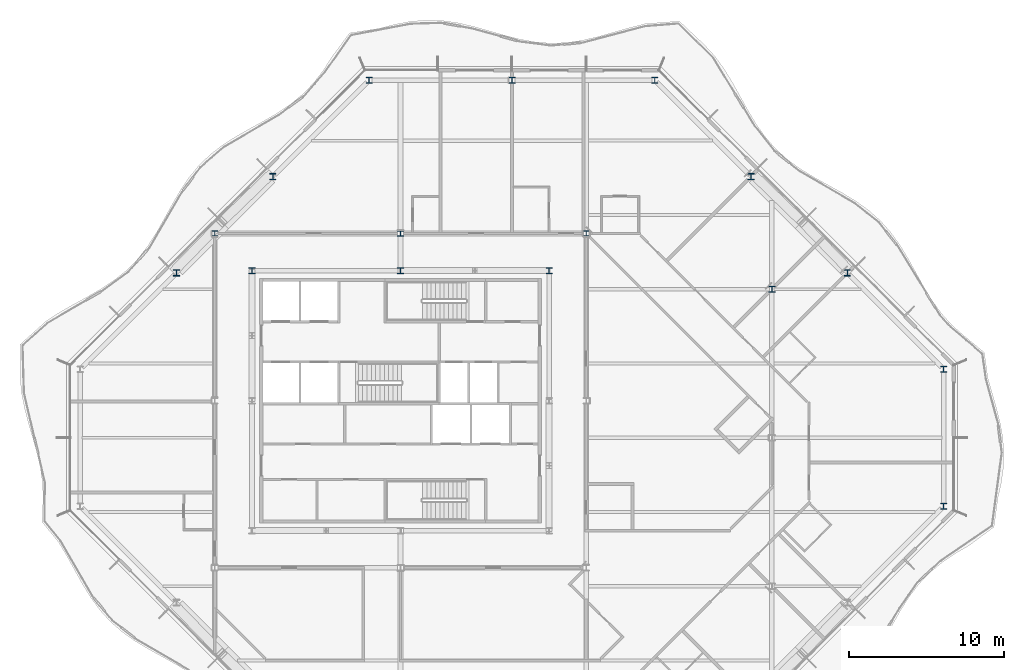
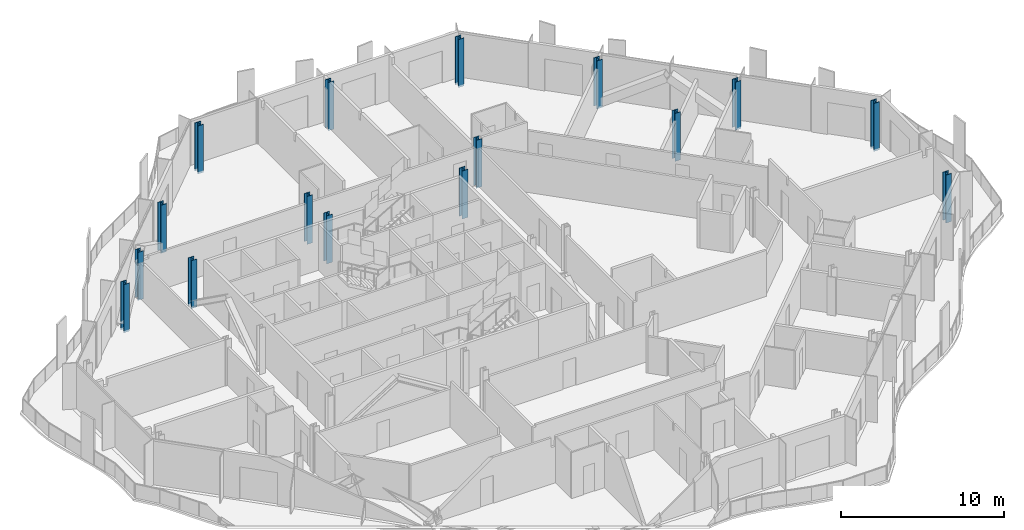
# One storey, part 2 of 17: 16 columns.
"""IFC4 building model written with IfcOpenShell, lengths in metres."""

import ifcopenshell
import ifcopenshell.guid

model = None  # the IFC model being written
_history = None  # IfcOwnerHistory: only IFC2X3 demands one
_inside = {}  # id of a spatial element -> (the spatial element, [elements in it])
_under = {}  # id of a project, library or spatial element -> (it, [spatial elements below it])
_declared = {}  # id of a project -> (the project, [libraries it declares])
_typed = {}  # id of a type object -> (the type object, [elements of that type])
_made_of = {}  # id of a material, layer set ... -> (it, [elements and type objects made of it])


def new_model(schema):
    """Start an empty IFC model of exactly this schema.

    Asked for "IFC4X3", IfcOpenShell would pick the latest addendum, in which some entities
    have other attributes; the version numbers below select the first issue.
    IFC2X3 requires an IfcOwnerHistory on every rooted entity: one is made here for all.
    """
    global model, _history
    if schema == "IFC4X3":
        model = ifcopenshell.file(schema_version=(4, 3, 0, 0))
    else:
        model = ifcopenshell.file(schema=schema)
    _inside.clear()
    _under.clear()
    _declared.clear()
    _typed.clear()
    _made_of.clear()
    _history = None
    if model.schema == "IFC2X3":
        org = make("IfcOrganization", Name="unknown")
        user = make(
            "IfcPersonAndOrganization",
            ThePerson=make("IfcPerson", FamilyName="unknown"),
            TheOrganization=org,
        )
        app = make(
            "IfcApplication",
            ApplicationDeveloper=org,
            Version="unknown",
            ApplicationFullName="unknown",
            ApplicationIdentifier="unknown",
        )
        _history = make(
            "IfcOwnerHistory",
            OwningUser=user,
            OwningApplication=app,
            ChangeAction="ADDED",
            CreationDate=0,
        )
    return model


def make(cls, **values):
    """One entity of the class cls with the attributes given. An attribute that is None is left unset."""
    return model.create_entity(
        cls, **{name: value for name, value in values.items() if value is not None}
    )


def rooted(cls, **values):
    """An entity with a GlobalId (a new one), such as an element, a storey or a relation."""
    return make(cls, GlobalId=ifcopenshell.guid.new(), OwnerHistory=_history, **values)


def si_unit(unit_type, name, prefix=None):
    """IfcSIUnit, for example si_unit("LENGTHUNIT", "METRE", prefix="MILLI")."""
    return make("IfcSIUnit", UnitType=unit_type, Prefix=prefix, Name=name)


def assignment(units):
    """IfcUnitAssignment: the units of a project."""
    return None if units is None else make("IfcUnitAssignment", Units=units)


def point(xyz):
    """IfcCartesianPoint."""
    return None if xyz is None else make("IfcCartesianPoint", Coordinates=xyz)


def direction(xyz):
    """IfcDirection."""
    return None if xyz is None else make("IfcDirection", DirectionRatios=xyz)


def frame(location, z_axis=None, x_axis=None):
    """IfcAxis2Placement3D, a coordinate frame: its origin and axes. An axis left out is left unset."""
    return make(
        "IfcAxis2Placement3D",
        Location=point(location),
        Axis=direction(z_axis),
        RefDirection=direction(x_axis),
    )


def frame_2d(location, x_axis=None):
    """IfcAxis2Placement2D, a coordinate frame in the plane: its origin and x axis."""
    return make(
        "IfcAxis2Placement2D", Location=point(location), RefDirection=direction(x_axis)
    )


def origin():
    """The frame at (0, 0, 0) with its axes left unset."""
    return frame((0.0, 0.0, 0.0))


def origin_2d():
    """The frame at (0, 0) in the plane with its x axis left unset."""
    return frame_2d((0.0, 0.0))


def place(relative_to, where):
    """IfcLocalPlacement: puts the frame where relative to a parent placement (None: the world)."""
    return make(
        "IfcLocalPlacement", PlacementRelTo=relative_to, RelativePlacement=where
    )


def context(
    kind, dimensions, precision=None, world=None, true_north=None, identifier=None
):
    """IfcGeometricRepresentationContext, for example the 3D "Model" context."""
    return make(
        "IfcGeometricRepresentationContext",
        ContextIdentifier=identifier,
        ContextType=kind,
        CoordinateSpaceDimension=dimensions,
        Precision=precision,
        WorldCoordinateSystem=world,
        TrueNorth=true_north,
    )


def subcontext(parent, identifier, kind, view, scale=None):
    """IfcGeometricRepresentationSubContext, for example "Body" below "Model"."""
    return make(
        "IfcGeometricRepresentationSubContext",
        ContextIdentifier=identifier,
        ContextType=kind,
        ParentContext=parent,
        TargetScale=scale,
        TargetView=view,
    )


def project(units=None, contexts=None):
    """IfcProject with its units and contexts."""
    return rooted(
        "IfcProject",
        Name="project",
        RepresentationContexts=contexts,
        UnitsInContext=assignment(units),
    )


def spatial(cls, under=None, at=None, **own):
    """A site, building, storey or space (cls), placed at a placement, below another one or the project."""
    s = rooted(cls, ObjectPlacement=at, **own)
    if under is not None:
        _under.setdefault(under.id(), (under, []))[1].append(s)
    return s


def profile(cls, at=None, kind="AREA", **sizes):
    """A parametric profile (cls). Its sizes go by their IFC names, for example OverallWidth=200.0."""
    return make(cls, ProfileType=kind, Position=at, **sizes)


def i_section(**sizes):
    """IfcIShapeProfileDef."""
    return profile("IfcIShapeProfileDef", **sizes)


def extrude(swept, where, along, depth):
    """IfcExtrudedAreaSolid: the profile swept, set in the frame where, extruded along a direction by depth."""
    return make(
        "IfcExtrudedAreaSolid",
        SweptArea=swept,
        Position=where,
        ExtrudedDirection=direction(along),
        Depth=depth,
    )


def shape(context_of_items, identifier, shape_type, items):
    """IfcShapeRepresentation: the items that make up one representation, for example the "Body"."""
    return make(
        "IfcShapeRepresentation",
        ContextOfItems=context_of_items,
        RepresentationIdentifier=identifier,
        RepresentationType=shape_type,
        Items=items,
    )


def material(Name=None, Category=None):
    """IfcMaterial."""
    return make("IfcMaterial", Name=Name, Category=Category)


def material_profile(
    of_material, cross_section, Name=None, Category=None, Priority=None
):
    """IfcMaterialProfile: a cross section and its material."""
    return make(
        "IfcMaterialProfile",
        Name=Name,
        Material=of_material,
        Profile=cross_section,
        Priority=Priority,
        Category=Category,
    )


def profile_set(profiles, Name=None, composite=None):
    """IfcMaterialProfileSet."""
    return make(
        "IfcMaterialProfileSet",
        Name=Name,
        MaterialProfiles=profiles,
        CompositeProfile=composite,
    )


def made_of(thing, what):
    """Note that an element or type object is made of a material, layer set ...; save() writes the relation."""
    if what is not None:
        _made_of.setdefault(what.id(), (what, []))[1].append(thing)
    return thing


def type_object(cls, material=None, **own):
    """A type object (cls), such as IfcWallType, which elements share."""
    return made_of(rooted(cls, **own), material)


def element(
    cls,
    number,
    at=None,
    inside=None,
    cuts=None,
    type_object=None,
    material=None,
    context=None,
    identifier="Body",
    shape_type=None,
    held_by="IfcProductDefinitionShape",
    body=None,
    shapes=None,
    **own,
):
    """One element of the class cls, such as IfcWall. Its Tag is "e" and its number.

    at: its placement. inside: the storey or other place that contains it. cuts: it is an
    opening in that element (IfcRelVoidsElement). A single representation is given by context,
    identifier, shape_type and body (its items); several are given by shapes. held_by: the class
    of the entity that holds the representations. save() writes the other relations.
    """
    e = rooted(cls, Tag="e%d" % number, ObjectPlacement=at, **own)
    if body is not None:
        shapes = [shape(context, identifier, shape_type, body)]
    if shapes is not None:
        e.Representation = make(held_by, Representations=shapes)
    if inside is not None:
        _inside.setdefault(inside.id(), (inside, []))[1].append(e)
    if cuts is not None:
        rooted(
            "IfcRelVoidsElement", RelatingBuildingElement=cuts, RelatedOpeningElement=e
        )
    if type_object is not None:
        _typed.setdefault(type_object.id(), (type_object, []))[1].append(e)
    return made_of(e, material)


def aggregate(whole, parts):
    """IfcRelAggregates: a whole, such as a stair, and the parts it consists of."""
    return rooted("IfcRelAggregates", RelatingObject=whole, RelatedObjects=parts)


def save(model, path):
    """Write the relations noted so far, then the file.

    IfcRelAggregates (storeys below a building ...), IfcRelContainedInSpatialStructure (elements
    in a storey), IfcRelDefinesByType, IfcRelAssociatesMaterial and IfcRelDeclares: one each for
    every whole, place, type object, material and project.
    """
    for whole, parts in _under.values():
        aggregate(whole, parts)
    for where, things in _inside.values():
        rooted(
            "IfcRelContainedInSpatialStructure",
            RelatedElements=things,
            RelatingStructure=where,
        )
    for kind, things in _typed.values():
        rooted("IfcRelDefinesByType", RelatedObjects=things, RelatingType=kind)
    for what, things in _made_of.values():
        rooted("IfcRelAssociatesMaterial", RelatedObjects=things, RelatingMaterial=what)
    for by, libraries in _declared.values():
        rooted("IfcRelDeclares", RelatingContext=by, RelatedDefinitions=libraries)
    model.write(path)


model = new_model("IFC4")

# Units and contexts
model_context = context("Model", 3, precision=1e-05, world=origin(), true_north=direction((0.0, 1.0)))
body_context = subcontext(model_context, "Body", "Model", "MODEL_VIEW")
ifc_project = project(units=[si_unit("LENGTHUNIT", "METRE"), si_unit("AREAUNIT", "SQUARE_METRE"), si_unit("VOLUMEUNIT", "CUBIC_METRE"), si_unit("PLANEANGLEUNIT", "RADIAN"), si_unit("MASSUNIT", "GRAM", prefix="KILO")], contexts=[model_context])

# Site, building, storey
site_placement = place(None, origin())
site = spatial("IfcSite", under=ifc_project, at=site_placement, CompositionType="ELEMENT")
building_placement = place(site_placement, origin())
building = spatial("IfcBuilding", under=site, at=building_placement, Name="Cairn Pilgrim Tower", CompositionType="ELEMENT")
storey_placement = place(building_placement, frame((0.0, 0.0, 253.800048828125)))
storey = spatial("IfcBuildingStorey", under=building, at=storey_placement, Name="L65", CompositionType="ELEMENT", Elevation=253.800048828125)

# Columns
ifc_material_1 = material(Name="Structural steel S355J2", Category="steel")
ifc_material_profile_1 = material_profile(ifc_material_1, i_section(OverallWidth=0.39404296875, OverallDepth=0.375, WebThickness=0.017333984375, FlangeThickness=0.027587890625, FilletRadius=0.014892578125, at=origin_2d()), Name="HD 400x216")
ifc_profile_set_1 = profile_set([ifc_material_profile_1], Name="Structural steel S355J2")
column_type_1 = type_object("IfcColumnType", Name="HD 400x216", PredefinedType="COLUMN", material=ifc_profile_set_1)
for number, where, z_axis, x_axis, name in (
    (1, (-4.800048828125, 13.199951171875, -0.150146484375), (0.0, 0.0, 1.0), (1.0, 0.0, 0.0), "IC-6"),
    (2, (7.199951171875, 13.199951171875, -0.150146484375), (0.0, 0.0, 1.0), (1.0, 0.0, 0.0), "IC-7"),
    (3, (19.199951171875, 13.199951171875, -0.150146484375), (0.0, 0.0, 1.0), (1.0, 0.0, 0.0), "IC-8"),
):
    element("IfcColumn", number, at=place(storey_placement, frame(where, z_axis=z_axis, x_axis=x_axis)), inside=storey, type_object=column_type_1, Name=name, PredefinedType="COLUMN", context=body_context, shape_type="SweptSolid", body=[
        extrude(i_section(OverallWidth=0.39404296875, OverallDepth=0.375, WebThickness=0.017333984375, FlangeThickness=0.027587890625, FilletRadius=0.014892578125, at=origin_2d()), origin(), (0.0, 0.0, 1.0), 3.60009765625),
    ])
ifc_material_profile_2 = material_profile(ifc_material_1, i_section(OverallWidth=0.39794921875, OverallDepth=0.386962890625, WebThickness=0.02099609375, FlangeThickness=0.033203125, FilletRadius=0.014892578125, at=origin_2d()), Name="HD 400x262")
ifc_profile_set_2 = profile_set([ifc_material_profile_2], Name="Structural steel S355J2")
column_type_2 = type_object("IfcColumnType", Name="HD 400x262", PredefinedType="COLUMN", material=ifc_profile_set_2)
for number, where, z_axis, x_axis, name in (
    (4, (-2.39990234375, 10.800048828125, -0.150146484375), (0.0, 0.0, 1.0), (1.0, 0.0, 0.0), "KC-6"),
    (5, (7.199951171875, 10.800048828125, -0.150146484375), (0.0, 0.0, 1.0), (1.0, 0.0, 0.0), "KC-7"),
    (6, (16.800048828125, 10.800048828125, -0.150146484375), (0.0, 0.0, 1.0), (1.0, 0.0, 0.0), "KC-8"),
):
    element("IfcColumn", number, at=place(storey_placement, frame(where, z_axis=z_axis, x_axis=x_axis)), inside=storey, type_object=column_type_2, Name=name, PredefinedType="COLUMN", context=body_context, shape_type="SweptSolid", body=[
        extrude(i_section(OverallWidth=0.39794921875, OverallDepth=0.386962890625, WebThickness=0.02099609375, FlangeThickness=0.033203125, FilletRadius=0.014892578125, at=origin_2d()), origin(), (0.0, 0.0, 1.0), 3.60009765625),
    ])
ifc_material_profile_3 = material_profile(ifc_material_1, i_section(OverallWidth=0.39892578125, OverallDepth=0.39306640625, WebThickness=0.022705078125, FlangeThickness=0.03662109375, FilletRadius=0.014892578125, at=origin_2d()), Name="HD 400x287")
ifc_profile_set_3 = profile_set([ifc_material_profile_3], Name="Structural steel S355J2")
column_type_3 = type_object("IfcColumnType", Name="HD 400x287", PredefinedType="COLUMN", material=ifc_profile_set_3)
column_placement = place(storey_placement, frame((31.199951171875, 9.60009765625, -0.150146484375), z_axis=(0.0, 0.0, 1.0), x_axis=(1.0, 0.0, 0.0)))
element("IfcColumn", 7, at=column_placement, inside=storey, type_object=column_type_3, Name="WC-WE+2", PredefinedType="COLUMN", context=body_context, shape_type="SweptSolid", body=[
    extrude(i_section(OverallWidth=0.39892578125, OverallDepth=0.39306640625, WebThickness=0.022705078125, FlangeThickness=0.03662109375, FilletRadius=0.014892578125, at=origin_2d()), origin(), (0.0, 0.0, 1.0), 3.60009765625),
])
ifc_material_2 = material(Name="Structural steel S460M", Category="steel")
ifc_material_profile_4 = material_profile(ifc_material_2, i_section(OverallWidth=0.404052734375, OverallDepth=0.406982421875, WebThickness=0.027099609375, FlangeThickness=0.043701171875, FilletRadius=0.014892578125, at=origin_2d()), Name="HD 400x347")
ifc_profile_set_4 = profile_set([ifc_material_profile_4], Name="Structural steel S460M")
column_type_4 = type_object("IfcColumnType", Name="HD 400x347", PredefinedType="COLUMN", material=ifc_profile_set_4)
for number, where, z_axis, x_axis, name in (
    (8, (42.300048828125, -4.42724609375, -0.150146484375), (0.0, 0.0, 1.0), (1.0, 0.0, 0.0), "PC3-E1"),
    (9, (42.300048828125, 4.42724609375, -0.150146484375), (0.0, 0.0, 1.0), (1.0, 0.0, 0.0), "PC3-NE1"),
    (10, (36.07568359375, 10.651611328125, -0.150146484375), (0.0, 0.0, 1.0), (1.0, 0.0, 0.0), "PC3-NE2"),
    (11, (29.8515625, 16.875732421875, -0.150146484375), (0.0, 0.0, 1.0), (1.0, 0.0, 0.0), "PC3-NE3"),
    (12, (23.627197265625, 23.10009765625, -0.150146484375), (0.0, 0.0, 1.0), (1.0, 0.0, 0.0), "PC3-N1"),
    (13, (14.39990234375, 23.10009765625, -0.150146484375), (0.0, 0.0, 1.0), (1.0, 0.0, 0.0), "PC3-N2"),
    (14, (5.1728515625, 23.10009765625, -0.150146484375), (0.0, 0.0, 1.0), (1.0, 0.0, 0.0), "PC3-NW1"),
    (15, (-1.051513671875, 16.875732421875, -0.150146484375), (0.0, 0.0, 1.0), (1.0, 0.0, 0.0), "PC3-NW2"),
    (16, (-7.275634765625, 10.651611328125, -0.150146484375), (0.0, 0.0, 1.0), (1.0, 0.0, 0.0), "PC3-NW3"),
):
    element("IfcColumn", number, at=place(storey_placement, frame(where, z_axis=z_axis, x_axis=x_axis)), inside=storey, type_object=column_type_4, Name=name, PredefinedType="COLUMN", context=body_context, shape_type="SweptSolid", body=[
        extrude(i_section(OverallWidth=0.404052734375, OverallDepth=0.406982421875, WebThickness=0.027099609375, FlangeThickness=0.043701171875, FilletRadius=0.014892578125, at=origin_2d()), origin(), (0.0, 0.0, 1.0), 3.60009765625),
    ])

save(model, "model.ifc")
